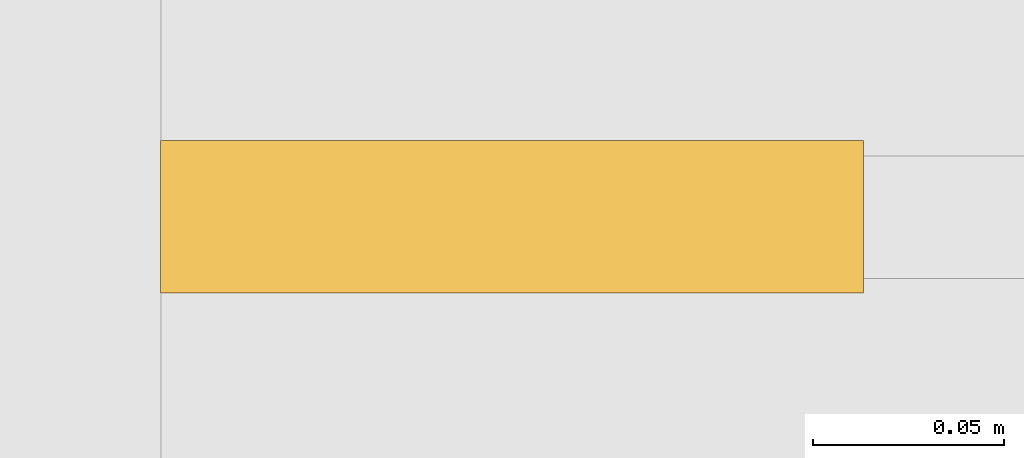
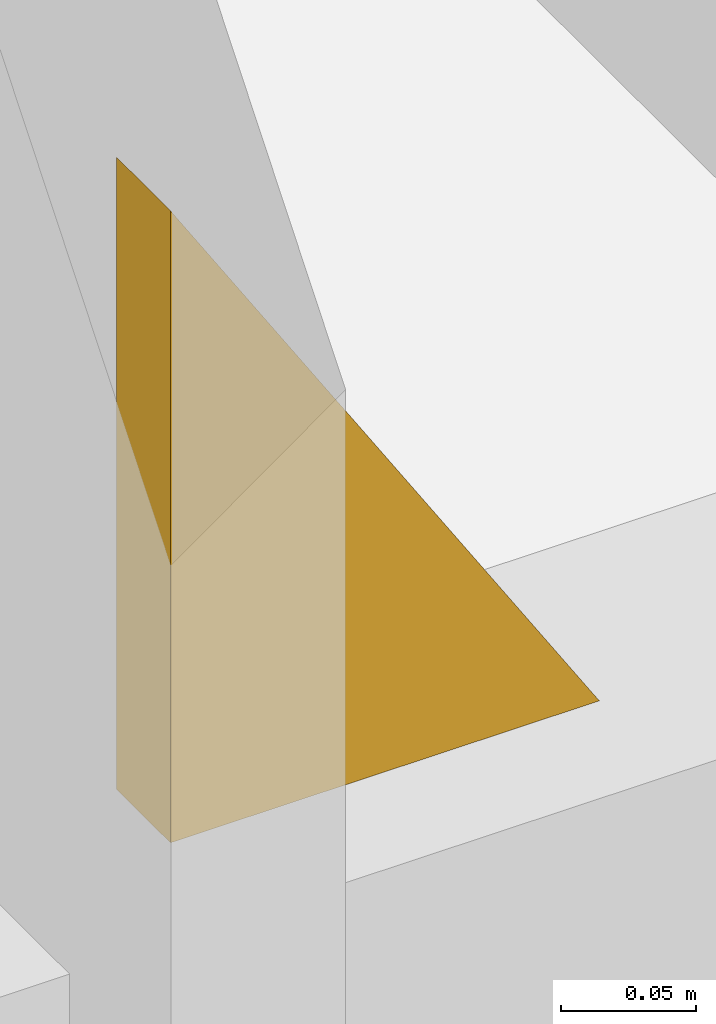
# One storey, part 13 of 15: 1 covering.
"""IFC4 building model written with IfcOpenShell, lengths in metres."""

from ifc_helpers import new_model, si_unit, direction, frame, origin, place, context, subcontext, project, spatial, polyline, outline, extrude, material, layer, layer_set, type_object, element, save


model = new_model("IFC4")

# Units and contexts
model_context = context("Model", 3, precision=1e-05, world=origin(), true_north=direction((0.0, 1.0)))
body_context = subcontext(model_context, "Body", "Model", "MODEL_VIEW")
ifc_project = project(units=[si_unit("LENGTHUNIT", "METRE"), si_unit("AREAUNIT", "SQUARE_METRE"), si_unit("VOLUMEUNIT", "CUBIC_METRE"), si_unit("PLANEANGLEUNIT", "RADIAN"), si_unit("MASSUNIT", "GRAM", prefix="KILO")], contexts=[model_context])

# Site, building, storey
site_placement = place(None, origin())
site = spatial("IfcSite", under=ifc_project, at=site_placement, CompositionType="ELEMENT")
building_placement = place(site_placement, origin())
building = spatial("IfcBuilding", under=site, at=building_placement, Name="Malebo Sky Hospital", CompositionType="ELEMENT")
storey_placement = place(building_placement, frame((0.0, 0.0, 217.0)))
storey = spatial("IfcBuildingStorey", under=building, at=storey_placement, Name="L52", CompositionType="ELEMENT", Elevation=217.0)

# Covering
ifc_material = material(Name="Anodised aluminium, natural silver insulated infill panel", Category="aluminium")
ifc_layer = layer(ifc_material, 0.0400390625)
ifc_layer_set = layer_set([ifc_layer], Name="BRACE INFILL PANEL 40")
covering_type = type_object("IfcCoveringType", Name="BRACE INFILL PANEL 40", PredefinedType="CLADDING", material=ifc_layer_set)
covering_placement = place(storey_placement, frame((76.929443359375, 39.425048828125, 0.10009765625), z_axis=(0.0, 0.0, 1.0), x_axis=(-1.0, 0.0, 0.0)))
element("IfcCovering", 1, at=covering_placement, inside=storey, type_object=covering_type, Name="Brace infill panel 1.1", PredefinedType="CLADDING", context=body_context, shape_type="SweptSolid", body=[
    extrude(outline(polyline([(-0.092041015625, 0.0), (0.092041015625, 0.0), (0.092041015625, 0.286865234375), (-0.092041015625, 0.0)])), frame((0.0, 0.02001953125, 0.0), z_axis=(0.0, -1.0, 0.0), x_axis=(1.0, 0.0, 0.0)), (0.0, 0.0, 1.0), 0.0400390625),
])

save(model, "model.ifc")
